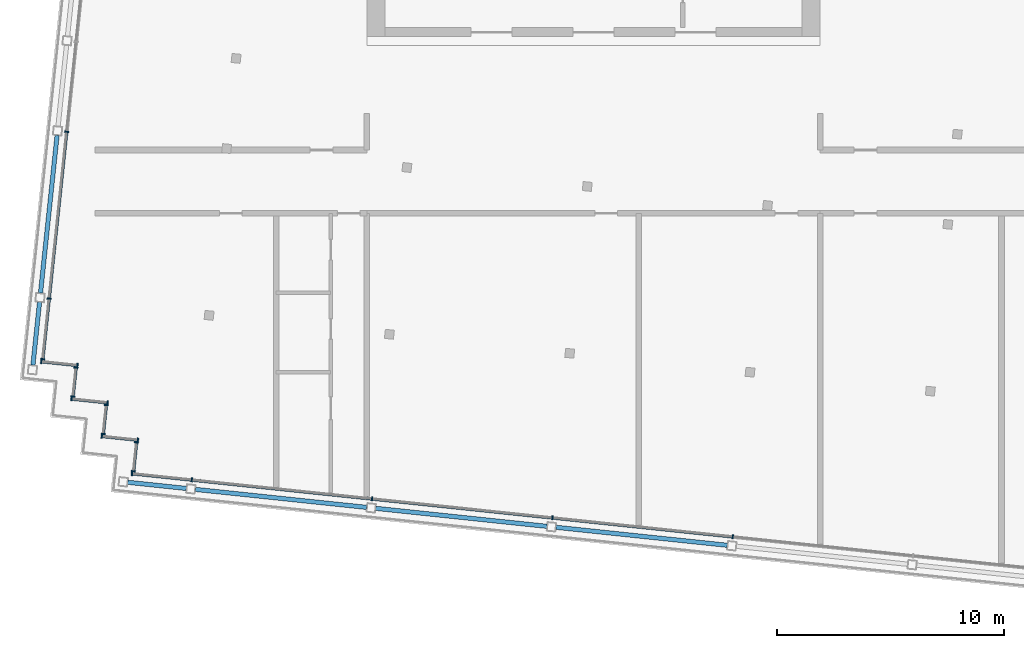
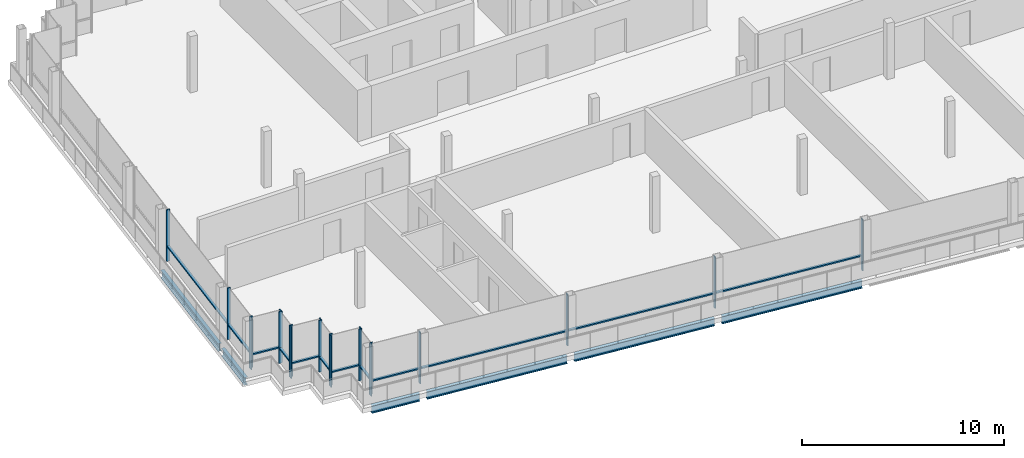
# One storey, part 3 of 15: 32 members, 6 beams, 8 elements without a shape of their own.
"""IFC4 building model written with IfcOpenShell, lengths in metres."""

import ifcopenshell
import ifcopenshell.guid

model = None  # the IFC model being written
_history = None  # IfcOwnerHistory: only IFC2X3 demands one
_inside = {}  # id of a spatial element -> (the spatial element, [elements in it])
_under = {}  # id of a project, library or spatial element -> (it, [spatial elements below it])
_declared = {}  # id of a project -> (the project, [libraries it declares])
_typed = {}  # id of a type object -> (the type object, [elements of that type])
_made_of = {}  # id of a material, layer set ... -> (it, [elements and type objects made of it])


def new_model(schema):
    """Start an empty IFC model of exactly this schema.

    Asked for "IFC4X3", IfcOpenShell would pick the latest addendum, in which some entities
    have other attributes; the version numbers below select the first issue.
    IFC2X3 requires an IfcOwnerHistory on every rooted entity: one is made here for all.
    """
    global model, _history
    if schema == "IFC4X3":
        model = ifcopenshell.file(schema_version=(4, 3, 0, 0))
    else:
        model = ifcopenshell.file(schema=schema)
    _inside.clear()
    _under.clear()
    _declared.clear()
    _typed.clear()
    _made_of.clear()
    _history = None
    if model.schema == "IFC2X3":
        org = make("IfcOrganization", Name="unknown")
        user = make(
            "IfcPersonAndOrganization",
            ThePerson=make("IfcPerson", FamilyName="unknown"),
            TheOrganization=org,
        )
        app = make(
            "IfcApplication",
            ApplicationDeveloper=org,
            Version="unknown",
            ApplicationFullName="unknown",
            ApplicationIdentifier="unknown",
        )
        _history = make(
            "IfcOwnerHistory",
            OwningUser=user,
            OwningApplication=app,
            ChangeAction="ADDED",
            CreationDate=0,
        )
    return model


def make(cls, **values):
    """One entity of the class cls with the attributes given. An attribute that is None is left unset."""
    return model.create_entity(
        cls, **{name: value for name, value in values.items() if value is not None}
    )


def rooted(cls, **values):
    """An entity with a GlobalId (a new one), such as an element, a storey or a relation."""
    return make(cls, GlobalId=ifcopenshell.guid.new(), OwnerHistory=_history, **values)


def si_unit(unit_type, name, prefix=None):
    """IfcSIUnit, for example si_unit("LENGTHUNIT", "METRE", prefix="MILLI")."""
    return make("IfcSIUnit", UnitType=unit_type, Prefix=prefix, Name=name)


def assignment(units):
    """IfcUnitAssignment: the units of a project."""
    return None if units is None else make("IfcUnitAssignment", Units=units)


def point(xyz):
    """IfcCartesianPoint."""
    return None if xyz is None else make("IfcCartesianPoint", Coordinates=xyz)


def direction(xyz):
    """IfcDirection."""
    return None if xyz is None else make("IfcDirection", DirectionRatios=xyz)


def frame(location, z_axis=None, x_axis=None):
    """IfcAxis2Placement3D, a coordinate frame: its origin and axes. An axis left out is left unset."""
    return make(
        "IfcAxis2Placement3D",
        Location=point(location),
        Axis=direction(z_axis),
        RefDirection=direction(x_axis),
    )


def frame_2d(location, x_axis=None):
    """IfcAxis2Placement2D, a coordinate frame in the plane: its origin and x axis."""
    return make(
        "IfcAxis2Placement2D", Location=point(location), RefDirection=direction(x_axis)
    )


def origin():
    """The frame at (0, 0, 0) with its axes left unset."""
    return frame((0.0, 0.0, 0.0))


def origin_2d():
    """The frame at (0, 0) in the plane with its x axis left unset."""
    return frame_2d((0.0, 0.0))


def place(relative_to, where):
    """IfcLocalPlacement: puts the frame where relative to a parent placement (None: the world)."""
    return make(
        "IfcLocalPlacement", PlacementRelTo=relative_to, RelativePlacement=where
    )


def context(
    kind, dimensions, precision=None, world=None, true_north=None, identifier=None
):
    """IfcGeometricRepresentationContext, for example the 3D "Model" context."""
    return make(
        "IfcGeometricRepresentationContext",
        ContextIdentifier=identifier,
        ContextType=kind,
        CoordinateSpaceDimension=dimensions,
        Precision=precision,
        WorldCoordinateSystem=world,
        TrueNorth=true_north,
    )


def subcontext(parent, identifier, kind, view, scale=None):
    """IfcGeometricRepresentationSubContext, for example "Body" below "Model"."""
    return make(
        "IfcGeometricRepresentationSubContext",
        ContextIdentifier=identifier,
        ContextType=kind,
        ParentContext=parent,
        TargetScale=scale,
        TargetView=view,
    )


def project(units=None, contexts=None):
    """IfcProject with its units and contexts."""
    return rooted(
        "IfcProject",
        Name="project",
        RepresentationContexts=contexts,
        UnitsInContext=assignment(units),
    )


def spatial(cls, under=None, at=None, **own):
    """A site, building, storey or space (cls), placed at a placement, below another one or the project."""
    s = rooted(cls, ObjectPlacement=at, **own)
    if under is not None:
        _under.setdefault(under.id(), (under, []))[1].append(s)
    return s


def profile(cls, at=None, kind="AREA", **sizes):
    """A parametric profile (cls). Its sizes go by their IFC names, for example OverallWidth=200.0."""
    return make(cls, ProfileType=kind, Position=at, **sizes)


def rectangle(**sizes):
    """IfcRectangleProfileDef."""
    return profile("IfcRectangleProfileDef", **sizes)


def i_section(**sizes):
    """IfcIShapeProfileDef."""
    return profile("IfcIShapeProfileDef", **sizes)


def extrude(swept, where, along, depth):
    """IfcExtrudedAreaSolid: the profile swept, set in the frame where, extruded along a direction by depth."""
    return make(
        "IfcExtrudedAreaSolid",
        SweptArea=swept,
        Position=where,
        ExtrudedDirection=direction(along),
        Depth=depth,
    )


def shape(context_of_items, identifier, shape_type, items):
    """IfcShapeRepresentation: the items that make up one representation, for example the "Body"."""
    return make(
        "IfcShapeRepresentation",
        ContextOfItems=context_of_items,
        RepresentationIdentifier=identifier,
        RepresentationType=shape_type,
        Items=items,
    )


def material(Name=None, Category=None):
    """IfcMaterial."""
    return make("IfcMaterial", Name=Name, Category=Category)


def material_profile(
    of_material, cross_section, Name=None, Category=None, Priority=None
):
    """IfcMaterialProfile: a cross section and its material."""
    return make(
        "IfcMaterialProfile",
        Name=Name,
        Material=of_material,
        Profile=cross_section,
        Priority=Priority,
        Category=Category,
    )


def profile_set(profiles, Name=None, composite=None):
    """IfcMaterialProfileSet."""
    return make(
        "IfcMaterialProfileSet",
        Name=Name,
        MaterialProfiles=profiles,
        CompositeProfile=composite,
    )


def made_of(thing, what):
    """Note that an element or type object is made of a material, layer set ...; save() writes the relation."""
    if what is not None:
        _made_of.setdefault(what.id(), (what, []))[1].append(thing)
    return thing


def type_object(cls, material=None, **own):
    """A type object (cls), such as IfcWallType, which elements share."""
    return made_of(rooted(cls, **own), material)


def element(
    cls,
    number,
    at=None,
    inside=None,
    cuts=None,
    type_object=None,
    material=None,
    context=None,
    identifier="Body",
    shape_type=None,
    held_by="IfcProductDefinitionShape",
    body=None,
    shapes=None,
    **own,
):
    """One element of the class cls, such as IfcWall. Its Tag is "e" and its number.

    at: its placement. inside: the storey or other place that contains it. cuts: it is an
    opening in that element (IfcRelVoidsElement). A single representation is given by context,
    identifier, shape_type and body (its items); several are given by shapes. held_by: the class
    of the entity that holds the representations. save() writes the other relations.
    """
    e = rooted(cls, Tag="e%d" % number, ObjectPlacement=at, **own)
    if body is not None:
        shapes = [shape(context, identifier, shape_type, body)]
    if shapes is not None:
        e.Representation = make(held_by, Representations=shapes)
    if inside is not None:
        _inside.setdefault(inside.id(), (inside, []))[1].append(e)
    if cuts is not None:
        rooted(
            "IfcRelVoidsElement", RelatingBuildingElement=cuts, RelatedOpeningElement=e
        )
    if type_object is not None:
        _typed.setdefault(type_object.id(), (type_object, []))[1].append(e)
    return made_of(e, material)


def aggregate(whole, parts):
    """IfcRelAggregates: a whole, such as a stair, and the parts it consists of."""
    return rooted("IfcRelAggregates", RelatingObject=whole, RelatedObjects=parts)


def save(model, path):
    """Write the relations noted so far, then the file.

    IfcRelAggregates (storeys below a building ...), IfcRelContainedInSpatialStructure (elements
    in a storey), IfcRelDefinesByType, IfcRelAssociatesMaterial and IfcRelDeclares: one each for
    every whole, place, type object, material and project.
    """
    for whole, parts in _under.values():
        aggregate(whole, parts)
    for where, things in _inside.values():
        rooted(
            "IfcRelContainedInSpatialStructure",
            RelatedElements=things,
            RelatingStructure=where,
        )
    for kind, things in _typed.values():
        rooted("IfcRelDefinesByType", RelatedObjects=things, RelatingType=kind)
    for what, things in _made_of.values():
        rooted("IfcRelAssociatesMaterial", RelatedObjects=things, RelatingMaterial=what)
    for by, libraries in _declared.values():
        rooted("IfcRelDeclares", RelatingContext=by, RelatedDefinitions=libraries)
    model.write(path)


model = new_model("IFC4")

# Units and contexts
model_context = context("Model", 3, precision=1e-05, world=origin(), true_north=direction((0.0, 1.0)))
body_context = subcontext(model_context, "Body", "Model", "MODEL_VIEW")
ifc_project = project(units=[si_unit("LENGTHUNIT", "METRE"), si_unit("AREAUNIT", "SQUARE_METRE"), si_unit("VOLUMEUNIT", "CUBIC_METRE"), si_unit("PLANEANGLEUNIT", "RADIAN"), si_unit("MASSUNIT", "GRAM", prefix="KILO")], contexts=[model_context])

# Site, building, storey
site_placement = place(None, origin())
site = spatial("IfcSite", under=ifc_project, at=site_placement, CompositionType="ELEMENT")
building_placement = place(site_placement, origin())
building = spatial("IfcBuilding", under=site, at=building_placement, Name="Vidyagriha Tower", CompositionType="ELEMENT")
storey_placement = place(building_placement, frame((0.0, 0.0, 291.5)))
storey = spatial("IfcBuildingStorey", under=building, at=storey_placement, Name="L75", CompositionType="ELEMENT", Elevation=291.5)

# Beams
ifc_material_1 = material(Name="Steel ASTM A992 Grade 50", Category="steel")
ifc_material_profile_1 = material_profile(ifc_material_1, i_section(OverallWidth=0.19189453125, OverallDepth=0.46240234375, WebThickness=0.010498046875, FlangeThickness=0.017578125, at=origin_2d()), Name="W18X60")
ifc_profile_set_1 = profile_set([ifc_material_profile_1], Name="Steel ASTM A992 Grade 50")
beam_type = type_object("IfcBeamType", Name="Edge beam W18X60", PredefinedType="SPANDREL", material=ifc_profile_set_1)
beam_1_placement = place(storey_placement, frame((-20.552978515625, -13.263427734375, -0.51123046875), z_axis=(0.99451368233, -0.104606575594, 0.0), x_axis=(0.104606575594, 0.99451368233, 0.0)))
element("IfcBeam", 1, at=beam_1_placement, inside=storey, type_object=beam_type, Name="st-beam-L75-S01", PredefinedType="SPANDREL", context=body_context, shape_type="SweptSolid", body=[
    extrude(i_section(OverallWidth=0.19189453125, OverallDepth=0.46240234375, WebThickness=0.010498046875, FlangeThickness=0.017578125, at=origin_2d()), origin(), (0.0, 0.0, 1.0), 2.599853515625),
])
for number, where, z_axis, x_axis, name in (
    (2, (-17.569580078125, -13.5771484375, -0.51123046875), (0.994521634953, -0.104530940926, 0.0), (0.104530940926, 0.994521634953, 0.0), "st-beam-L75-S02"),
    (3, (-9.61328125, -14.413330078125, -0.51123046875), (0.994521634953, -0.104530940926, 0.0), (0.104530940926, 0.994521634953, 0.0), "st-beam-L75-S03"),
    (4, (-1.6572265625, -15.24951171875, -0.51123046875), (0.994521634953, -0.104530940926, 0.0), (0.104530940926, 0.994521634953, 0.0), "st-beam-L75-S04"),
):
    element("IfcBeam", number, at=place(storey_placement, frame(where, z_axis=z_axis, x_axis=x_axis)), inside=storey, type_object=beam_type, Name=name, PredefinedType="SPANDREL", context=body_context, shape_type="SweptSolid", body=[
        extrude(i_section(OverallWidth=0.19189453125, OverallDepth=0.46240234375, WebThickness=0.010498046875, FlangeThickness=0.017578125, at=origin_2d()), origin(), (0.0, 0.0, 1.0), 7.60009765625),
    ])
beam_2_placement = place(storey_placement, frame((-24.736083984375, -8.097900390625, -0.51123046875), z_axis=(0.104544080685, 0.994520253788, 0.0), x_axis=(-0.994520253788, 0.104544080685, 0.0)))
element("IfcBeam", 5, at=beam_2_placement, inside=storey, type_object=beam_type, Name="st-beam-L75-W08", PredefinedType="SPANDREL", context=body_context, shape_type="SweptSolid", body=[
    extrude(i_section(OverallWidth=0.19189453125, OverallDepth=0.46240234375, WebThickness=0.010498046875, FlangeThickness=0.017578125, at=origin_2d()), origin(), (0.0, 0.0, 1.0), 2.800048828125),
])
beam_3_placement = place(storey_placement, frame((-24.401611328125, -4.91552734375, -0.51123046875), z_axis=(0.104526832686, 0.994522066748, 0.0), x_axis=(-0.994522066748, 0.104526832686, 0.0)))
element("IfcBeam", 6, at=beam_3_placement, inside=storey, type_object=beam_type, Name="st-beam-L75-W09", PredefinedType="SPANDREL", context=body_context, shape_type="SweptSolid", body=[
    extrude(i_section(OverallWidth=0.19189453125, OverallDepth=0.46240234375, WebThickness=0.010498046875, FlangeThickness=0.017578125, at=origin_2d()), origin(), (0.0, 0.0, 1.0), 7.0),
])

# Curtain wall, members
ifc_material_2 = material(Name="Aluminium and glass curtain wall", Category="aluminium")
curtain_wall_type = type_object("IfcCurtainWallType", Name="Lantern glazing wall", PredefinedType="USERDEFINED", material=ifc_material_2)
curtain_wall_1_placement = place(storey_placement, origin())
curtain_wall_1 = element("IfcCurtainWall", 7, at=curtain_wall_1_placement, inside=storey, type_object=curtain_wall_type, Name="CW4 lantern glazing", ObjectType="STICK GLAZING", PredefinedType="USERDEFINED")
ifc_material_3 = material(Name="Aluminium black anodised", Category="aluminium")
ifc_material_profile_2 = material_profile(ifc_material_3, rectangle(XDim=0.179931640625, YDim=0.06005859375, at=origin_2d()), Name="Mullion 60x180 black aluminium")
ifc_profile_set_2 = profile_set([ifc_material_profile_2], Name="Aluminium black anodised")
member_type_1 = type_object("IfcMemberType", Name="Mullion 60x180 black aluminium", PredefinedType="MULLION", material=ifc_profile_set_2)
member_1_placement = place(storey_placement, frame((-23.251220703125, 2.203125, 0.0), z_axis=(0.0, 0.0, 1.0), x_axis=(0.994522018715, -0.104527289697, 0.0)))
member_1 = element("IfcMember", 8, at=member_1_placement, type_object=member_type_1, Name="CW4 mullion 5", PredefinedType="MULLION", context=body_context, shape_type="SweptSolid", body=[
    extrude(rectangle(XDim=0.179931640625, YDim=0.06005859375, at=origin_2d()), origin(), (0.0, 0.0, 1.0), 3.1201171875),
])
member_2_placement = place(storey_placement, frame((-24.024658203125, -5.15625, 0.0), z_axis=(0.0, 0.0, 1.0), x_axis=(0.994522018715, -0.104527289697, 0.0)))
member_2 = element("IfcMember", 9, at=member_2_placement, type_object=member_type_1, Name="CW4 mullion 6", PredefinedType="MULLION", context=body_context, shape_type="SweptSolid", body=[
    extrude(rectangle(XDim=0.179931640625, YDim=0.06005859375, at=origin_2d()), origin(), (0.0, 0.0, 1.0), 3.1201171875),
])
member_3_placement = place(storey_placement, frame((-24.305908203125, -7.83154296875, 0.0), z_axis=(0.0, 0.0, 1.0), x_axis=(0.994522018715, -0.104527289697, 0.0)))
member_3 = element("IfcMember", 10, at=member_3_placement, type_object=member_type_1, Name="CW4 mullion 7", PredefinedType="MULLION", context=body_context, shape_type="SweptSolid", body=[
    extrude(rectangle(XDim=0.179931640625, YDim=0.06005859375, at=origin_2d()), origin(), (0.0, 0.0, 1.0), 3.1201171875),
])

curtain_wall_2_placement = place(storey_placement, origin())
curtain_wall_2 = element("IfcCurtainWall", 11, at=curtain_wall_2_placement, inside=storey, type_object=curtain_wall_type, Name="CW4 lantern glazing", ObjectType="STICK GLAZING", PredefinedType="USERDEFINED")
member_4_placement = place(storey_placement, frame((-24.366943359375, -7.935546875, 0.0), z_axis=(0.0, 0.0, 1.0), x_axis=(0.104518583201, 0.994522933756, 0.0)))
member_4 = element("IfcMember", 12, at=member_4_placement, type_object=member_type_1, Name="CW4 mullion 1", PredefinedType="MULLION", context=body_context, shape_type="SweptSolid", body=[
    extrude(rectangle(XDim=0.179931640625, YDim=0.06005859375, at=origin_2d()), origin(), (0.0, 0.0, 1.0), 3.1201171875),
])
member_5_placement = place(storey_placement, frame((-22.77587890625, -8.102783203125, 0.0), z_axis=(0.0, 0.0, 1.0), x_axis=(0.104518583201, 0.994522933756, 0.0)))
member_5 = element("IfcMember", 13, at=member_5_placement, type_object=member_type_1, Name="CW4 mullion 2", PredefinedType="MULLION", context=body_context, shape_type="SweptSolid", body=[
    extrude(rectangle(XDim=0.179931640625, YDim=0.06005859375, at=origin_2d()), origin(), (0.0, 0.0, 1.0), 3.1201171875),
])

curtain_wall_3_placement = place(storey_placement, origin())
curtain_wall_3 = element("IfcCurtainWall", 14, at=curtain_wall_3_placement, inside=storey, type_object=curtain_wall_type, Name="CW4 lantern glazing", ObjectType="STICK GLAZING", PredefinedType="USERDEFINED")
member_6_placement = place(storey_placement, frame((-22.837158203125, -8.20703125, 0.0), z_axis=(0.0, 0.0, 1.0), x_axis=(0.994518939392, -0.104556583677, 0.0)))
member_6 = element("IfcMember", 15, at=member_6_placement, type_object=member_type_1, Name="CW4 mullion 1", PredefinedType="MULLION", context=body_context, shape_type="SweptSolid", body=[
    extrude(rectangle(XDim=0.179931640625, YDim=0.06005859375, at=origin_2d()), origin(), (0.0, 0.0, 1.0), 3.1201171875),
])
member_7_placement = place(storey_placement, frame((-22.970947265625, -9.47998046875, 0.0), z_axis=(0.0, 0.0, 1.0), x_axis=(0.994518939392, -0.104556583677, 0.0)))
member_7 = element("IfcMember", 16, at=member_7_placement, type_object=member_type_1, Name="CW4 mullion 2", PredefinedType="MULLION", context=body_context, shape_type="SweptSolid", body=[
    extrude(rectangle(XDim=0.179931640625, YDim=0.06005859375, at=origin_2d()), origin(), (0.0, 0.0, 1.0), 3.1201171875),
])

curtain_wall_4_placement = place(storey_placement, origin())
curtain_wall_4 = element("IfcCurtainWall", 17, at=curtain_wall_4_placement, inside=storey, type_object=curtain_wall_type, Name="CW4 lantern glazing", ObjectType="STICK GLAZING", PredefinedType="USERDEFINED")
member_8_placement = place(storey_placement, frame((-23.031982421875, -9.584228515625, 0.0), z_axis=(0.0, 0.0, 1.0), x_axis=(0.104458999463, 0.994529193856, 0.0)))
member_8 = element("IfcMember", 18, at=member_8_placement, type_object=member_type_1, Name="CW4 mullion 1", PredefinedType="MULLION", context=body_context, shape_type="SweptSolid", body=[
    extrude(rectangle(XDim=0.179931640625, YDim=0.06005859375, at=origin_2d()), origin(), (0.0, 0.0, 1.0), 3.1201171875),
])
member_9_placement = place(storey_placement, frame((-21.44091796875, -9.75146484375, 0.0), z_axis=(0.0, 0.0, 1.0), x_axis=(0.104458999463, 0.994529193856, 0.0)))
member_9 = element("IfcMember", 19, at=member_9_placement, type_object=member_type_1, Name="CW4 mullion 2", PredefinedType="MULLION", context=body_context, shape_type="SweptSolid", body=[
    extrude(rectangle(XDim=0.179931640625, YDim=0.06005859375, at=origin_2d()), origin(), (0.0, 0.0, 1.0), 3.1201171875),
])

curtain_wall_5_placement = place(storey_placement, origin())
curtain_wall_5 = element("IfcCurtainWall", 20, at=curtain_wall_5_placement, inside=storey, type_object=curtain_wall_type, Name="CW4 lantern glazing", ObjectType="STICK GLAZING", PredefinedType="USERDEFINED")
member_10_placement = place(storey_placement, frame((-21.501953125, -9.85546875, 0.0), z_axis=(0.0, 0.0, 1.0), x_axis=(0.994519755162, -0.104548823962, 0.0)))
member_10 = element("IfcMember", 21, at=member_10_placement, type_object=member_type_1, Name="CW4 mullion 1", PredefinedType="MULLION", context=body_context, shape_type="SweptSolid", body=[
    extrude(rectangle(XDim=0.179931640625, YDim=0.06005859375, at=origin_2d()), origin(), (0.0, 0.0, 1.0), 3.1201171875),
])
member_11_placement = place(storey_placement, frame((-21.6357421875, -11.128662109375, 0.0), z_axis=(0.0, 0.0, 1.0), x_axis=(0.994519755162, -0.104548823962, 0.0)))
member_11 = element("IfcMember", 22, at=member_11_placement, type_object=member_type_1, Name="CW4 mullion 2", PredefinedType="MULLION", context=body_context, shape_type="SweptSolid", body=[
    extrude(rectangle(XDim=0.179931640625, YDim=0.06005859375, at=origin_2d()), origin(), (0.0, 0.0, 1.0), 3.1201171875),
])

curtain_wall_6_placement = place(storey_placement, origin())
curtain_wall_6 = element("IfcCurtainWall", 23, at=curtain_wall_6_placement, inside=storey, type_object=curtain_wall_type, Name="CW4 lantern glazing", ObjectType="STICK GLAZING", PredefinedType="USERDEFINED")
member_12_placement = place(storey_placement, frame((-21.697021484375, -11.232666015625, 0.0), z_axis=(0.0, 0.0, 1.0), x_axis=(0.104518583201, 0.994522933756, 0.0)))
member_12 = element("IfcMember", 24, at=member_12_placement, type_object=member_type_1, Name="CW4 mullion 1", PredefinedType="MULLION", context=body_context, shape_type="SweptSolid", body=[
    extrude(rectangle(XDim=0.179931640625, YDim=0.06005859375, at=origin_2d()), origin(), (0.0, 0.0, 1.0), 3.1201171875),
])
member_13_placement = place(storey_placement, frame((-20.10595703125, -11.39990234375, 0.0), z_axis=(0.0, 0.0, 1.0), x_axis=(0.104518583201, 0.994522933756, 0.0)))
member_13 = element("IfcMember", 25, at=member_13_placement, type_object=member_type_1, Name="CW4 mullion 2", PredefinedType="MULLION", context=body_context, shape_type="SweptSolid", body=[
    extrude(rectangle(XDim=0.179931640625, YDim=0.06005859375, at=origin_2d()), origin(), (0.0, 0.0, 1.0), 3.1201171875),
])

curtain_wall_7_placement = place(storey_placement, origin())
curtain_wall_7 = element("IfcCurtainWall", 26, at=curtain_wall_7_placement, inside=storey, type_object=curtain_wall_type, Name="CW4 lantern glazing", ObjectType="STICK GLAZING", PredefinedType="USERDEFINED")
member_14_placement = place(storey_placement, frame((-20.1669921875, -11.504150390625, 0.0), z_axis=(0.0, 0.0, 1.0), x_axis=(0.994518939392, -0.104556583677, 0.0)))
member_14 = element("IfcMember", 27, at=member_14_placement, type_object=member_type_1, Name="CW4 mullion 1", PredefinedType="MULLION", context=body_context, shape_type="SweptSolid", body=[
    extrude(rectangle(XDim=0.179931640625, YDim=0.06005859375, at=origin_2d()), origin(), (0.0, 0.0, 1.0), 3.1201171875),
])
member_15_placement = place(storey_placement, frame((-20.30078125, -12.777099609375, 0.0), z_axis=(0.0, 0.0, 1.0), x_axis=(0.994518939392, -0.104556583677, 0.0)))
member_15 = element("IfcMember", 28, at=member_15_placement, type_object=member_type_1, Name="CW4 mullion 2", PredefinedType="MULLION", context=body_context, shape_type="SweptSolid", body=[
    extrude(rectangle(XDim=0.179931640625, YDim=0.06005859375, at=origin_2d()), origin(), (0.0, 0.0, 1.0), 3.1201171875),
])

curtain_wall_8_placement = place(storey_placement, origin())
curtain_wall_8 = element("IfcCurtainWall", 29, at=curtain_wall_8_placement, inside=storey, type_object=curtain_wall_type, Name="CW4 lantern glazing", ObjectType="STICK GLAZING", PredefinedType="USERDEFINED")
member_16_placement = place(storey_placement, frame((-20.362060546875, -12.88134765625, 0.0), z_axis=(0.0, 0.0, 1.0), x_axis=(0.104528251556, 0.99452191762, 0.0)))
member_16 = element("IfcMember", 30, at=member_16_placement, type_object=member_type_1, Name="CW4 mullion 1", PredefinedType="MULLION", context=body_context, shape_type="SweptSolid", body=[
    extrude(rectangle(XDim=0.179931640625, YDim=0.06005859375, at=origin_2d()), origin(), (0.0, 0.0, 1.0), 3.1201171875),
])
member_17_placement = place(storey_placement, frame((-17.7265625, -13.158447265625, 0.0), z_axis=(0.0, 0.0, 1.0), x_axis=(0.104528251556, 0.99452191762, 0.0)))
member_17 = element("IfcMember", 31, at=member_17_placement, type_object=member_type_1, Name="CW4 mullion 2", PredefinedType="MULLION", context=body_context, shape_type="SweptSolid", body=[
    extrude(rectangle(XDim=0.179931640625, YDim=0.06005859375, at=origin_2d()), origin(), (0.0, 0.0, 1.0), 3.1201171875),
])
member_18_placement = place(storey_placement, frame((-9.7705078125, -13.99462890625, 0.0), z_axis=(0.0, 0.0, 1.0), x_axis=(0.104528251556, 0.99452191762, 0.0)))
member_18 = element("IfcMember", 32, at=member_18_placement, type_object=member_type_1, Name="CW4 mullion 3", PredefinedType="MULLION", context=body_context, shape_type="SweptSolid", body=[
    extrude(rectangle(XDim=0.179931640625, YDim=0.06005859375, at=origin_2d()), origin(), (0.0, 0.0, 1.0), 3.1201171875),
])
member_19_placement = place(storey_placement, frame((-1.814208984375, -14.830810546875, 0.0), z_axis=(0.0, 0.0, 1.0), x_axis=(0.104528251556, 0.99452191762, 0.0)))
member_19 = element("IfcMember", 33, at=member_19_placement, type_object=member_type_1, Name="CW4 mullion 4", PredefinedType="MULLION", context=body_context, shape_type="SweptSolid", body=[
    extrude(rectangle(XDim=0.179931640625, YDim=0.06005859375, at=origin_2d()), origin(), (0.0, 0.0, 1.0), 3.1201171875),
])
member_20_placement = place(storey_placement, frame((6.141845703125, -15.6669921875, 0.0), z_axis=(0.0, 0.0, 1.0), x_axis=(0.104528251556, 0.99452191762, 0.0)))
member_20 = element("IfcMember", 34, at=member_20_placement, type_object=member_type_1, Name="CW4 mullion 5", PredefinedType="MULLION", context=body_context, shape_type="SweptSolid", body=[
    extrude(rectangle(XDim=0.179931640625, YDim=0.06005859375, at=origin_2d()), origin(), (0.0, 0.0, 1.0), 3.1201171875),
])

# Member
ifc_material_4 = material(Name="Aluminium black anodised", Category="aluminium")
ifc_material_profile_3 = material_profile(ifc_material_4, rectangle(XDim=0.139892578125, YDim=0.080078125, at=origin_2d()), Name="Transom 80x140 black aluminium")
ifc_profile_set_3 = profile_set([ifc_material_profile_3], Name="Aluminium black anodised")
member_type_2 = type_object("IfcMemberType", Name="Transom 80x140 black aluminium", PredefinedType="USERDEFINED", material=ifc_profile_set_3)
member_21_placement = place(storey_placement, frame((-23.25439453125, 2.17333984375, 0.89990234375), z_axis=(-0.104508177052, -0.994524027326, 0.0), x_axis=(0.994524027326, -0.104508177052, 0.0)))
member_21 = element("IfcMember", 35, at=member_21_placement, type_object=member_type_2, Name="CW4 transom 5.1", ObjectType="TRANSOM", PredefinedType="USERDEFINED", context=body_context, shape_type="SweptSolid", body=[
    extrude(rectangle(XDim=0.139892578125, YDim=0.080078125, at=origin_2d()), origin(), (0.0, 0.0, 1.0), 7.340087890625),
])

member_22_placement = place(storey_placement, frame((-24.02783203125, -5.18603515625, 0.89990234375), z_axis=(-0.104530146087, -0.994521718495, 0.0), x_axis=(0.994521718495, -0.104530146087, 0.0)))
member_22 = element("IfcMember", 36, at=member_22_placement, type_object=member_type_2, Name="CW4 transom 6.1", ObjectType="TRANSOM", PredefinedType="USERDEFINED", context=body_context, shape_type="SweptSolid", body=[
    extrude(rectangle(XDim=0.139892578125, YDim=0.080078125, at=origin_2d()), origin(), (0.0, 0.0, 1.0), 2.6298828125),
])

aggregate(curtain_wall_1, [member_1, member_2, member_3, member_21, member_22])

member_23_placement = place(storey_placement, frame((-24.337158203125, -7.938720703125, 0.89990234375), z_axis=(0.994527149453, -0.104478461899, 0.0), x_axis=(0.104478461899, 0.994527149453, 0.0)))
member_23 = element("IfcMember", 37, at=member_23_placement, type_object=member_type_2, Name="CW4 transom 1.1", ObjectType="TRANSOM", PredefinedType="USERDEFINED", context=body_context, shape_type="SweptSolid", body=[
    extrude(rectangle(XDim=0.139892578125, YDim=0.080078125, at=origin_2d()), origin(), (0.0, 0.0, 1.0), 1.5400390625),
])

aggregate(curtain_wall_2, [member_4, member_5, member_23])

member_24_placement = place(storey_placement, frame((-22.840087890625, -8.237060546875, 0.89990234375), z_axis=(-0.104674366152, -0.994506549536, 0.0), x_axis=(0.994506549536, -0.104674366152, 0.0)))
member_24 = element("IfcMember", 38, at=member_24_placement, type_object=member_type_2, Name="CW4 transom 1.1", ObjectType="TRANSOM", PredefinedType="USERDEFINED", context=body_context, shape_type="SweptSolid", body=[
    extrude(rectangle(XDim=0.139892578125, YDim=0.080078125, at=origin_2d()), origin(), (0.0, 0.0, 1.0), 1.2197265625),
])

aggregate(curtain_wall_3, [member_6, member_7, member_24])

member_25_placement = place(storey_placement, frame((-23.002197265625, -9.58740234375, 0.89990234375), z_axis=(0.994527149453, -0.104478461899, 0.0), x_axis=(0.104478461899, 0.994527149453, 0.0)))
member_25 = element("IfcMember", 39, at=member_25_placement, type_object=member_type_2, Name="CW4 transom 1.1", ObjectType="TRANSOM", PredefinedType="USERDEFINED", context=body_context, shape_type="SweptSolid", body=[
    extrude(rectangle(XDim=0.139892578125, YDim=0.080078125, at=origin_2d()), origin(), (0.0, 0.0, 1.0), 1.5400390625),
])

aggregate(curtain_wall_4, [member_8, member_9, member_25])

member_26_placement = place(storey_placement, frame((-21.505126953125, -9.88525390625, 0.89990234375), z_axis=(-0.104653535604, -0.994508741784, 0.0), x_axis=(0.994508741784, -0.104653535604, 0.0)))
member_26 = element("IfcMember", 40, at=member_26_placement, type_object=member_type_2, Name="CW4 transom 1.1", ObjectType="TRANSOM", PredefinedType="USERDEFINED", context=body_context, shape_type="SweptSolid", body=[
    extrude(rectangle(XDim=0.139892578125, YDim=0.080078125, at=origin_2d()), origin(), (0.0, 0.0, 1.0), 1.219970703125),
])

aggregate(curtain_wall_5, [member_10, member_11, member_26])

member_27_placement = place(storey_placement, frame((-21.667236328125, -11.23583984375, 0.89990234375), z_axis=(0.994527149453, -0.104478461899, 0.0), x_axis=(0.104478461899, 0.994527149453, 0.0)))
member_27 = element("IfcMember", 41, at=member_27_placement, type_object=member_type_2, Name="CW4 transom 1.1", ObjectType="TRANSOM", PredefinedType="USERDEFINED", context=body_context, shape_type="SweptSolid", body=[
    extrude(rectangle(XDim=0.139892578125, YDim=0.080078125, at=origin_2d()), origin(), (0.0, 0.0, 1.0), 1.5400390625),
])

aggregate(curtain_wall_6, [member_12, member_13, member_27])

member_28_placement = place(storey_placement, frame((-20.170166015625, -11.5341796875, 0.89990234375), z_axis=(-0.104476410646, -0.994527364942, 0.0), x_axis=(0.994527364942, -0.104476410646, 0.0)))
member_28 = element("IfcMember", 42, at=member_28_placement, type_object=member_type_2, Name="CW4 transom 1.1", ObjectType="TRANSOM", PredefinedType="USERDEFINED", context=body_context, shape_type="SweptSolid", body=[
    extrude(rectangle(XDim=0.139892578125, YDim=0.080078125, at=origin_2d()), origin(), (0.0, 0.0, 1.0), 1.2197265625),
])

aggregate(curtain_wall_7, [member_14, member_15, member_28])

member_29_placement = place(storey_placement, frame((-20.332275390625, -12.884521484375, 0.89990234375), z_axis=(0.994521452323, -0.104532678478, 0.0), x_axis=(0.104532678478, 0.994521452323, 0.0)))
member_29 = element("IfcMember", 43, at=member_29_placement, type_object=member_type_2, Name="CW4 transom 1.1", ObjectType="TRANSOM", PredefinedType="USERDEFINED", context=body_context, shape_type="SweptSolid", body=[
    extrude(rectangle(XDim=0.139892578125, YDim=0.080078125, at=origin_2d()), origin(), (0.0, 0.0, 1.0), 2.590087890625),
])

member_30_placement = place(storey_placement, frame((-17.69677734375, -13.161376953125, 0.89990234375), z_axis=(0.994520269484, -0.10454393137, 0.0), x_axis=(0.10454393137, 0.994520269484, 0.0)))
member_30 = element("IfcMember", 44, at=member_30_placement, type_object=member_type_2, Name="CW4 transom 2.1", ObjectType="TRANSOM", PredefinedType="USERDEFINED", context=body_context, shape_type="SweptSolid", body=[
    extrude(rectangle(XDim=0.139892578125, YDim=0.080078125, at=origin_2d()), origin(), (0.0, 0.0, 1.0), 7.93994140625),
])

member_31_placement = place(storey_placement, frame((-9.740478515625, -13.997802734375, 0.89990234375), z_axis=(0.994523465953, -0.104513519069, 0.0), x_axis=(0.104513519069, 0.994523465953, 0.0)))
member_31 = element("IfcMember", 45, at=member_31_placement, type_object=member_type_2, Name="CW4 transom 3.1", ObjectType="TRANSOM", PredefinedType="USERDEFINED", context=body_context, shape_type="SweptSolid", body=[
    extrude(rectangle(XDim=0.139892578125, YDim=0.080078125, at=origin_2d()), origin(), (0.0, 0.0, 1.0), 7.93994140625),
])

member_32_placement = place(storey_placement, frame((-1.784423828125, -14.833984375, 0.89990234375), z_axis=(0.994523465953, -0.104513519069, 0.0), x_axis=(0.104513519069, 0.994523465953, 0.0)))
member_32 = element("IfcMember", 46, at=member_32_placement, type_object=member_type_2, Name="CW4 transom 4.1", ObjectType="TRANSOM", PredefinedType="USERDEFINED", context=body_context, shape_type="SweptSolid", body=[
    extrude(rectangle(XDim=0.139892578125, YDim=0.080078125, at=origin_2d()), origin(), (0.0, 0.0, 1.0), 7.93994140625),
])

aggregate(curtain_wall_8, [member_16, member_17, member_18, member_19, member_20, member_29, member_30, member_31, member_32])

save(model, "model.ifc")
